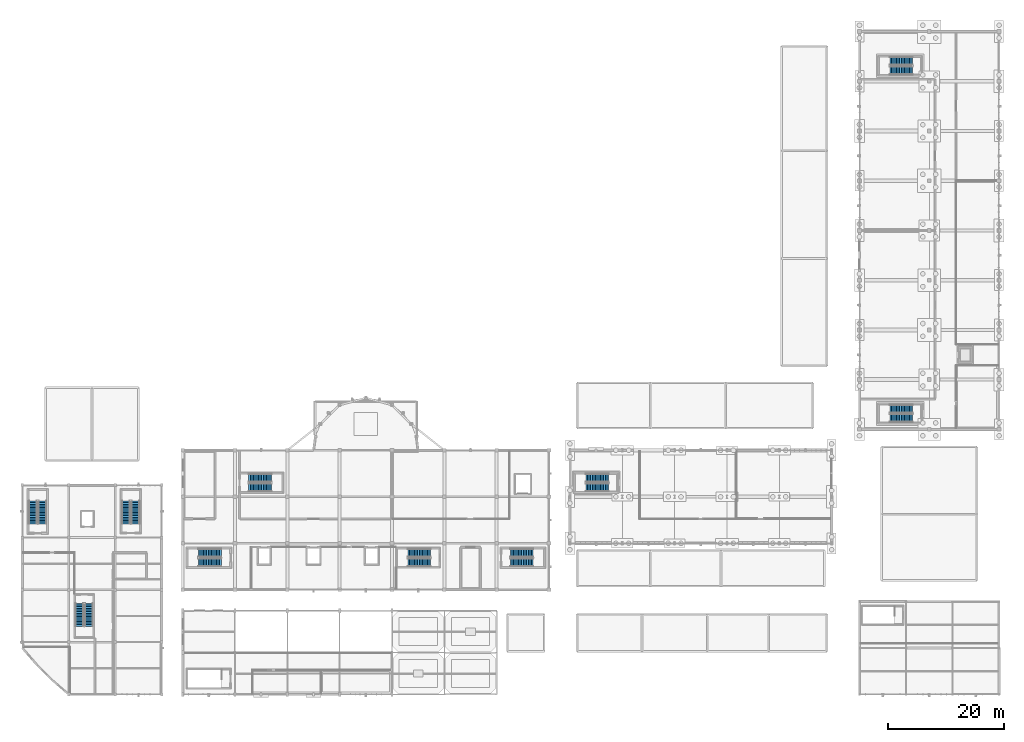
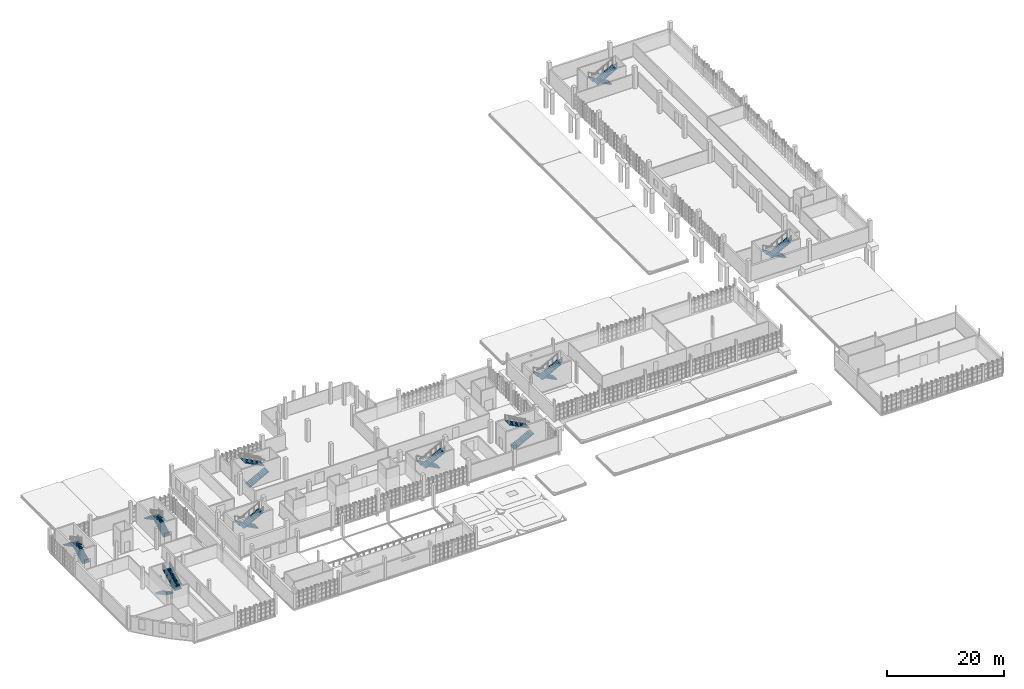
# One storey, part 108 of 125: 20 stair flights, 10 elements without a shape of their own.
"""IFC4 building model written with IfcOpenShell, lengths in metres."""

from ifc_helpers import new_model, si_unit, direction, frame, origin, place, context, subcontext, project, spatial, polyline, outline, extrude, material, type_object, element, aggregate, save


model = new_model("IFC4")

# Units and contexts
model_context = context("Model", 3, precision=1e-05, world=origin(), true_north=direction((0.0, 1.0)))
body_context = subcontext(model_context, "Body", "Model", "MODEL_VIEW")
ifc_project = project(units=[si_unit("LENGTHUNIT", "METRE"), si_unit("AREAUNIT", "SQUARE_METRE"), si_unit("VOLUMEUNIT", "CUBIC_METRE"), si_unit("PLANEANGLEUNIT", "RADIAN"), si_unit("MASSUNIT", "GRAM", prefix="KILO")], contexts=[model_context])

# Site, building, storey
site_placement = place(None, origin())
site = spatial("IfcSite", under=ifc_project, at=site_placement, CompositionType="ELEMENT")
building_placement = place(site_placement, origin())
building = spatial("IfcBuilding", under=site, at=building_placement, Name="Serraforn Aerial Cableway Station", CompositionType="ELEMENT")
storey_placement = place(building_placement, frame((0.0, 0.0, 4.5)))
storey = spatial("IfcBuildingStorey", under=building, at=storey_placement, Name="L01", CompositionType="ELEMENT", Elevation=4.5)

# Stair, stair flights
ifc_material = material(Name="Concrete C35/45", Category="concrete")
stair_type_1 = type_object("IfcStairType", Name="STR-DL-1", PredefinedType="HALF_TURN_STAIR", material=ifc_material)
stair_1_placement = place(storey_placement, origin())
stair_1 = element("IfcStair", 1, at=stair_1_placement, inside=storey, type_object=stair_type_1, Name="L01 West Wing North Exit Stair 1", PredefinedType="HALF_TURN_STAIR")
stair_flight_type_1 = type_object("IfcStairFlightType", Name="SFL-DL-1", PredefinedType="STRAIGHT", material=ifc_material)
stair_flight_1_placement = place(storey_placement, frame((3.47509765625, 29.35009765625, 0.0), z_axis=(0.0, 0.0, 1.0), x_axis=(0.0, 1.0, 0.0)))
stair_flight_1 = element("IfcStairFlight", 2, at=stair_flight_1_placement, type_object=stair_flight_type_1, Name="ST-01 flight 1", NumberOfRisers=15, NumberOfTreads=14, PredefinedType="STRAIGHT", RiserHeight=0.15, TreadLength=0.28, context=body_context, shape_type="SweptSolid", body=[
    extrude(outline(polyline([(0.0, 0.0), (0.0, 0.14990234375), (0.280029296875, 0.14990234375), (0.280029296875, 0.300048828125), (0.56005859375, 0.300048828125), (0.56005859375, 0.449951171875), (0.840087890625, 0.449951171875), (0.840087890625, 0.60009765625), (1.1201171875, 0.60009765625), (1.1201171875, 0.75), (1.39990234375, 0.75), (1.39990234375, 0.89990234375), (1.679931640625, 0.89990234375), (1.679931640625, 1.050048828125), (1.9599609375, 1.050048828125), (1.9599609375, 1.199951171875), (2.239990234375, 1.199951171875), (2.239990234375, 1.35009765625), (2.52001953125, 1.35009765625), (2.52001953125, 1.5), (2.800048828125, 1.5), (2.800048828125, 1.64990234375), (3.080078125, 1.64990234375), (3.080078125, 1.800048828125), (3.360107421875, 1.800048828125), (3.360107421875, 1.949951171875), (3.639892578125, 1.949951171875), (3.639892578125, 2.10009765625), (3.919921875, 2.10009765625), (3.919921875, 2.25), (3.919921875, 1.929931640625), (0.3173828125, 0.0), (0.0, 0.0)])), frame((0.0, 0.72509765625, 0.0), z_axis=(0.0, -1.0, 0.0), x_axis=(1.0, 0.0, 0.0)), (0.0, 0.0, 1.0), 1.449951171875),
])
stair_flight_2_placement = place(storey_placement, frame((1.864990234375, 33.27001953125, 2.25), z_axis=(0.0, 0.0, 1.0), x_axis=(0.0, -1.0, 0.0)))
stair_flight_2 = element("IfcStairFlight", 3, at=stair_flight_2_placement, type_object=stair_flight_type_1, Name="ST-01 flight 2", NumberOfRisers=15, NumberOfTreads=14, PredefinedType="STRAIGHT", RiserHeight=0.15, TreadLength=0.28, context=body_context, shape_type="SweptSolid", body=[
    extrude(outline(polyline([(0.0, 0.0), (0.0, 0.14990234375), (0.280029296875, 0.14990234375), (0.280029296875, 0.300048828125), (0.56005859375, 0.300048828125), (0.56005859375, 0.449951171875), (0.840087890625, 0.449951171875), (0.840087890625, 0.60009765625), (1.1201171875, 0.60009765625), (1.1201171875, 0.75), (1.39990234375, 0.75), (1.39990234375, 0.89990234375), (1.679931640625, 0.89990234375), (1.679931640625, 1.050048828125), (1.9599609375, 1.050048828125), (1.9599609375, 1.199951171875), (2.239990234375, 1.199951171875), (2.239990234375, 1.35009765625), (2.52001953125, 1.35009765625), (2.52001953125, 1.5), (2.800048828125, 1.5), (2.800048828125, 1.64990234375), (3.080078125, 1.64990234375), (3.080078125, 1.800048828125), (3.360107421875, 1.800048828125), (3.360107421875, 1.949951171875), (3.639892578125, 1.949951171875), (3.639892578125, 2.10009765625), (3.919921875, 2.10009765625), (3.919921875, 2.25), (3.919921875, 1.929931640625), (0.3173828125, 0.0), (0.0, 0.0)])), frame((0.0, 0.72509765625, 0.0), z_axis=(0.0, -1.0, 0.0), x_axis=(1.0, 0.0, 0.0)), (0.0, 0.0, 1.0), 1.449951171875),
])
aggregate(stair_1, [stair_flight_1, stair_flight_2])

stair_2_placement = place(storey_placement, origin())
stair_2 = element("IfcStair", 4, at=stair_2_placement, inside=storey, type_object=stair_type_1, Name="L01 Vault West Protected Exit Stair 3", PredefinedType="HALF_TURN_STAIR")
stair_flight_3_placement = place(storey_placement, frame((34.25, 24.3349609375, 0.0), z_axis=(0.0, 0.0, 1.0), x_axis=(-1.0, 0.0, 0.0)))
stair_flight_3 = element("IfcStairFlight", 5, at=stair_flight_3_placement, type_object=stair_flight_type_1, Name="ST-03 flight 1", NumberOfRisers=15, NumberOfTreads=14, PredefinedType="STRAIGHT", RiserHeight=0.15, TreadLength=0.28, context=body_context, shape_type="SweptSolid", body=[
    extrude(outline(polyline([(0.0, 0.0), (0.0, 0.14990234375), (0.280029296875, 0.14990234375), (0.280029296875, 0.300048828125), (0.56005859375, 0.300048828125), (0.56005859375, 0.449951171875), (0.840087890625, 0.449951171875), (0.840087890625, 0.60009765625), (1.1201171875, 0.60009765625), (1.1201171875, 0.75), (1.39990234375, 0.75), (1.39990234375, 0.89990234375), (1.679931640625, 0.89990234375), (1.679931640625, 1.050048828125), (1.9599609375, 1.050048828125), (1.9599609375, 1.199951171875), (2.239990234375, 1.199951171875), (2.239990234375, 1.35009765625), (2.52001953125, 1.35009765625), (2.52001953125, 1.5), (2.800048828125, 1.5), (2.800048828125, 1.64990234375), (3.080078125, 1.64990234375), (3.080078125, 1.800048828125), (3.360107421875, 1.800048828125), (3.360107421875, 1.949951171875), (3.639892578125, 1.949951171875), (3.639892578125, 2.10009765625), (3.919921875, 2.10009765625), (3.919921875, 2.25), (3.919921875, 1.929931640625), (0.3173828125, 0.0), (0.0, 0.0)])), frame((0.0, 0.72509765625, 0.0), z_axis=(0.0, -1.0, 0.0), x_axis=(1.0, 0.0, 0.0)), (0.0, 0.0, 1.0), 1.449951171875),
])
stair_flight_4_placement = place(storey_placement, frame((30.330078125, 22.72509765625, 2.25), z_axis=(0.0, 0.0, 1.0), x_axis=(1.0, 0.0, 0.0)))
stair_flight_4 = element("IfcStairFlight", 6, at=stair_flight_4_placement, type_object=stair_flight_type_1, Name="ST-03 flight 2", NumberOfRisers=15, NumberOfTreads=14, PredefinedType="STRAIGHT", RiserHeight=0.15, TreadLength=0.28, context=body_context, shape_type="SweptSolid", body=[
    extrude(outline(polyline([(0.0, 0.0), (0.0, 0.14990234375), (0.280029296875, 0.14990234375), (0.280029296875, 0.300048828125), (0.56005859375, 0.300048828125), (0.56005859375, 0.449951171875), (0.840087890625, 0.449951171875), (0.840087890625, 0.60009765625), (1.1201171875, 0.60009765625), (1.1201171875, 0.75), (1.39990234375, 0.75), (1.39990234375, 0.89990234375), (1.679931640625, 0.89990234375), (1.679931640625, 1.050048828125), (1.9599609375, 1.050048828125), (1.9599609375, 1.199951171875), (2.239990234375, 1.199951171875), (2.239990234375, 1.35009765625), (2.52001953125, 1.35009765625), (2.52001953125, 1.5), (2.800048828125, 1.5), (2.800048828125, 1.64990234375), (3.080078125, 1.64990234375), (3.080078125, 1.800048828125), (3.360107421875, 1.800048828125), (3.360107421875, 1.949951171875), (3.639892578125, 1.949951171875), (3.639892578125, 2.10009765625), (3.919921875, 2.10009765625), (3.919921875, 2.25), (3.919921875, 1.929931640625), (0.3173828125, 0.0), (0.0, 0.0)])), frame((0.0, 0.72509765625, 0.0), z_axis=(0.0, -1.0, 0.0), x_axis=(1.0, 0.0, 0.0)), (0.0, 0.0, 1.0), 1.449951171875),
])
aggregate(stair_2, [stair_flight_3, stair_flight_4])

stair_3_placement = place(storey_placement, origin())
stair_3 = element("IfcStair", 7, at=stair_3_placement, inside=storey, type_object=stair_type_1, Name="L01 Vault East Protected Exit Stair 13", PredefinedType="HALF_TURN_STAIR")
stair_flight_5_placement = place(storey_placement, frame((83.949951171875, 22.72509765625, 0.0), z_axis=(0.0, 0.0, 1.0), x_axis=(1.0, 0.0, 0.0)))
stair_flight_5 = element("IfcStairFlight", 8, at=stair_flight_5_placement, type_object=stair_flight_type_1, Name="ST-13 flight 1", NumberOfRisers=15, NumberOfTreads=14, PredefinedType="STRAIGHT", RiserHeight=0.15, TreadLength=0.28, context=body_context, shape_type="SweptSolid", body=[
    extrude(outline(polyline([(0.0, 0.0), (0.0, 0.14990234375), (0.280029296875, 0.14990234375), (0.280029296875, 0.300048828125), (0.56005859375, 0.300048828125), (0.56005859375, 0.449951171875), (0.840087890625, 0.449951171875), (0.840087890625, 0.60009765625), (1.1201171875, 0.60009765625), (1.1201171875, 0.75), (1.39990234375, 0.75), (1.39990234375, 0.89990234375), (1.679931640625, 0.89990234375), (1.679931640625, 1.050048828125), (1.9599609375, 1.050048828125), (1.9599609375, 1.199951171875), (2.239990234375, 1.199951171875), (2.239990234375, 1.35009765625), (2.52001953125, 1.35009765625), (2.52001953125, 1.5), (2.800048828125, 1.5), (2.800048828125, 1.64990234375), (3.080078125, 1.64990234375), (3.080078125, 1.800048828125), (3.360107421875, 1.800048828125), (3.360107421875, 1.949951171875), (3.639892578125, 1.949951171875), (3.639892578125, 2.10009765625), (3.919921875, 2.10009765625), (3.919921875, 2.25), (3.919921875, 1.929931640625), (0.3173828125, 0.0), (0.0, 0.0)])), frame((0.0, 0.72509765625, 0.0), z_axis=(0.0, -1.0, 0.0), x_axis=(1.0, 0.0, 0.0)), (0.0, 0.0, 1.0), 1.449951171875),
])
stair_flight_6_placement = place(storey_placement, frame((87.8701171875, 24.3349609375, 2.25), z_axis=(0.0, 0.0, 1.0), x_axis=(-1.0, 0.0, 0.0)))
stair_flight_6 = element("IfcStairFlight", 9, at=stair_flight_6_placement, type_object=stair_flight_type_1, Name="ST-13 flight 2", NumberOfRisers=15, NumberOfTreads=14, PredefinedType="STRAIGHT", RiserHeight=0.15, TreadLength=0.28, context=body_context, shape_type="SweptSolid", body=[
    extrude(outline(polyline([(0.0, 0.0), (0.0, 0.14990234375), (0.280029296875, 0.14990234375), (0.280029296875, 0.300048828125), (0.56005859375, 0.300048828125), (0.56005859375, 0.449951171875), (0.840087890625, 0.449951171875), (0.840087890625, 0.60009765625), (1.1201171875, 0.60009765625), (1.1201171875, 0.75), (1.39990234375, 0.75), (1.39990234375, 0.89990234375), (1.679931640625, 0.89990234375), (1.679931640625, 1.050048828125), (1.9599609375, 1.050048828125), (1.9599609375, 1.199951171875), (2.239990234375, 1.199951171875), (2.239990234375, 1.35009765625), (2.52001953125, 1.35009765625), (2.52001953125, 1.5), (2.800048828125, 1.5), (2.800048828125, 1.64990234375), (3.080078125, 1.64990234375), (3.080078125, 1.800048828125), (3.360107421875, 1.800048828125), (3.360107421875, 1.949951171875), (3.639892578125, 1.949951171875), (3.639892578125, 2.10009765625), (3.919921875, 2.10009765625), (3.919921875, 2.25), (3.919921875, 1.929931640625), (0.3173828125, 0.0), (0.0, 0.0)])), frame((0.0, 0.72509765625, 0.0), z_axis=(0.0, -1.0, 0.0), x_axis=(1.0, 0.0, 0.0)), (0.0, 0.0, 1.0), 1.449951171875),
])
aggregate(stair_3, [stair_flight_5, stair_flight_6])

stair_4_placement = place(storey_placement, origin())
stair_4 = element("IfcStair", 10, at=stair_4_placement, inside=storey, type_object=stair_type_1, Name="L01 Hillside Passage West Stair 8", PredefinedType="HALF_TURN_STAIR")
stair_flight_7_placement = place(storey_placement, frame((100.85009765625, 37.235107421875, 0.0), z_axis=(0.0, 0.0, 1.0), x_axis=(-1.0, 0.0, 0.0)))
stair_flight_7 = element("IfcStairFlight", 11, at=stair_flight_7_placement, type_object=stair_flight_type_1, Name="ST-08 flight 1", NumberOfRisers=15, NumberOfTreads=14, PredefinedType="STRAIGHT", RiserHeight=0.15, TreadLength=0.28, context=body_context, shape_type="SweptSolid", body=[
    extrude(outline(polyline([(0.0, 0.0), (0.0, 0.14990234375), (0.280029296875, 0.14990234375), (0.280029296875, 0.300048828125), (0.56005859375, 0.300048828125), (0.56005859375, 0.449951171875), (0.840087890625, 0.449951171875), (0.840087890625, 0.60009765625), (1.1201171875, 0.60009765625), (1.1201171875, 0.75), (1.39990234375, 0.75), (1.39990234375, 0.89990234375), (1.679931640625, 0.89990234375), (1.679931640625, 1.050048828125), (1.9599609375, 1.050048828125), (1.9599609375, 1.199951171875), (2.239990234375, 1.199951171875), (2.239990234375, 1.35009765625), (2.52001953125, 1.35009765625), (2.52001953125, 1.5), (2.800048828125, 1.5), (2.800048828125, 1.64990234375), (3.080078125, 1.64990234375), (3.080078125, 1.800048828125), (3.360107421875, 1.800048828125), (3.360107421875, 1.949951171875), (3.639892578125, 1.949951171875), (3.639892578125, 2.10009765625), (3.919921875, 2.10009765625), (3.919921875, 2.25), (3.919921875, 1.929931640625), (0.3173828125, 0.0), (0.0, 0.0)])), frame((0.0, 0.72509765625, 0.0), z_axis=(0.0, -1.0, 0.0), x_axis=(1.0, 0.0, 0.0)), (0.0, 0.0, 1.0), 1.449951171875),
])
stair_flight_8_placement = place(storey_placement, frame((96.929931640625, 35.625, 2.25), z_axis=(0.0, 0.0, 1.0), x_axis=(1.0, 0.0, 0.0)))
stair_flight_8 = element("IfcStairFlight", 12, at=stair_flight_8_placement, type_object=stair_flight_type_1, Name="ST-08 flight 2", NumberOfRisers=15, NumberOfTreads=14, PredefinedType="STRAIGHT", RiserHeight=0.15, TreadLength=0.28, context=body_context, shape_type="SweptSolid", body=[
    extrude(outline(polyline([(0.0, 0.0), (0.0, 0.14990234375), (0.280029296875, 0.14990234375), (0.280029296875, 0.300048828125), (0.56005859375, 0.300048828125), (0.56005859375, 0.449951171875), (0.840087890625, 0.449951171875), (0.840087890625, 0.60009765625), (1.1201171875, 0.60009765625), (1.1201171875, 0.75), (1.39990234375, 0.75), (1.39990234375, 0.89990234375), (1.679931640625, 0.89990234375), (1.679931640625, 1.050048828125), (1.9599609375, 1.050048828125), (1.9599609375, 1.199951171875), (2.239990234375, 1.199951171875), (2.239990234375, 1.35009765625), (2.52001953125, 1.35009765625), (2.52001953125, 1.5), (2.800048828125, 1.5), (2.800048828125, 1.64990234375), (3.080078125, 1.64990234375), (3.080078125, 1.800048828125), (3.360107421875, 1.800048828125), (3.360107421875, 1.949951171875), (3.639892578125, 1.949951171875), (3.639892578125, 2.10009765625), (3.919921875, 2.10009765625), (3.919921875, 2.25), (3.919921875, 1.929931640625), (0.3173828125, 0.0), (0.0, 0.0)])), frame((0.0, 0.72509765625, 0.0), z_axis=(0.0, -1.0, 0.0), x_axis=(1.0, 0.0, 0.0)), (0.0, 0.0, 1.0), 1.449951171875),
])
aggregate(stair_4, [stair_flight_7, stair_flight_8])

stair_type_2 = type_object("IfcStairType", Name="STR-DL-2", PredefinedType="HALF_TURN_STAIR", material=ifc_material)
stair_5_placement = place(storey_placement, origin())
stair_5 = element("IfcStair", 13, at=stair_5_placement, inside=storey, type_object=stair_type_2, Name="L01 West Wing East Exit Stair 2", PredefinedType="HALF_TURN_STAIR")
stair_flight_type_2 = type_object("IfcStairFlightType", Name="SFL-DL-2", PredefinedType="STRAIGHT", material=ifc_material)
stair_flight_9_placement = place(storey_placement, frame((19.47509765625, 29.35009765625, 0.0), z_axis=(0.0, 0.0, 1.0), x_axis=(0.0, 1.0, 0.0)))
stair_flight_9 = element("IfcStairFlight", 14, at=stair_flight_9_placement, type_object=stair_flight_type_2, Name="ST-02 flight 1", NumberOfRisers=15, NumberOfTreads=14, PredefinedType="STRAIGHT", RiserHeight=0.15, TreadLength=0.28, context=body_context, shape_type="SweptSolid", body=[
    extrude(outline(polyline([(0.0, 0.0), (0.0, 0.14990234375), (0.280029296875, 0.14990234375), (0.280029296875, 0.300048828125), (0.56005859375, 0.300048828125), (0.56005859375, 0.449951171875), (0.840087890625, 0.449951171875), (0.840087890625, 0.60009765625), (1.1201171875, 0.60009765625), (1.1201171875, 0.75), (1.39990234375, 0.75), (1.39990234375, 0.89990234375), (1.679931640625, 0.89990234375), (1.679931640625, 1.050048828125), (1.9599609375, 1.050048828125), (1.9599609375, 1.199951171875), (2.239990234375, 1.199951171875), (2.239990234375, 1.35009765625), (2.52001953125, 1.35009765625), (2.52001953125, 1.5), (2.800048828125, 1.5), (2.800048828125, 1.64990234375), (3.080078125, 1.64990234375), (3.080078125, 1.800048828125), (3.360107421875, 1.800048828125), (3.360107421875, 1.949951171875), (3.639892578125, 1.949951171875), (3.639892578125, 2.10009765625), (3.919921875, 2.10009765625), (3.919921875, 2.25), (3.919921875, 1.929931640625), (0.3173828125, 0.0), (0.0, 0.0)])), frame((0.0, 0.72509765625, 0.0), z_axis=(0.0, -1.0, 0.0), x_axis=(1.0, 0.0, 0.0)), (0.0, 0.0, 1.0), 1.449951171875),
])
stair_flight_10_placement = place(storey_placement, frame((17.864990234375, 33.27001953125, 2.25), z_axis=(0.0, 0.0, 1.0), x_axis=(0.0, -1.0, 0.0)))
stair_flight_10 = element("IfcStairFlight", 15, at=stair_flight_10_placement, type_object=stair_flight_type_2, Name="ST-02 flight 2", NumberOfRisers=15, NumberOfTreads=14, PredefinedType="STRAIGHT", RiserHeight=0.15, TreadLength=0.28, context=body_context, shape_type="SweptSolid", body=[
    extrude(outline(polyline([(0.0, 0.0), (0.0, 0.14990234375), (0.280029296875, 0.14990234375), (0.280029296875, 0.300048828125), (0.56005859375, 0.300048828125), (0.56005859375, 0.449951171875), (0.840087890625, 0.449951171875), (0.840087890625, 0.60009765625), (1.1201171875, 0.60009765625), (1.1201171875, 0.75), (1.39990234375, 0.75), (1.39990234375, 0.89990234375), (1.679931640625, 0.89990234375), (1.679931640625, 1.050048828125), (1.9599609375, 1.050048828125), (1.9599609375, 1.199951171875), (2.239990234375, 1.199951171875), (2.239990234375, 1.35009765625), (2.52001953125, 1.35009765625), (2.52001953125, 1.5), (2.800048828125, 1.5), (2.800048828125, 1.64990234375), (3.080078125, 1.64990234375), (3.080078125, 1.800048828125), (3.360107421875, 1.800048828125), (3.360107421875, 1.949951171875), (3.639892578125, 1.949951171875), (3.639892578125, 2.10009765625), (3.919921875, 2.10009765625), (3.919921875, 2.25), (3.919921875, 1.929931640625), (0.3173828125, 0.0), (0.0, 0.0)])), frame((0.0, 0.72509765625, 0.0), z_axis=(0.0, -1.0, 0.0), x_axis=(1.0, 0.0, 0.0)), (0.0, 0.0, 1.0), 1.449951171875),
])
aggregate(stair_5, [stair_flight_9, stair_flight_10])

stair_6_placement = place(storey_placement, origin())
stair_6 = element("IfcStair", 16, at=stair_6_placement, inside=storey, type_object=stair_type_2, Name="L01 Vault Central West Exit Stair 4", PredefinedType="HALF_TURN_STAIR")
stair_flight_11_placement = place(storey_placement, frame((38.949951171875, 35.625, 0.0), z_axis=(0.0, 0.0, 1.0), x_axis=(1.0, 0.0, 0.0)))
stair_flight_11 = element("IfcStairFlight", 17, at=stair_flight_11_placement, type_object=stair_flight_type_2, Name="ST-04 flight 1", NumberOfRisers=15, NumberOfTreads=14, PredefinedType="STRAIGHT", RiserHeight=0.15, TreadLength=0.28, context=body_context, shape_type="SweptSolid", body=[
    extrude(outline(polyline([(0.0, 0.0), (0.0, 0.14990234375), (0.280029296875, 0.14990234375), (0.280029296875, 0.300048828125), (0.56005859375, 0.300048828125), (0.56005859375, 0.449951171875), (0.840087890625, 0.449951171875), (0.840087890625, 0.60009765625), (1.1201171875, 0.60009765625), (1.1201171875, 0.75), (1.39990234375, 0.75), (1.39990234375, 0.89990234375), (1.679931640625, 0.89990234375), (1.679931640625, 1.050048828125), (1.9599609375, 1.050048828125), (1.9599609375, 1.199951171875), (2.239990234375, 1.199951171875), (2.239990234375, 1.35009765625), (2.52001953125, 1.35009765625), (2.52001953125, 1.5), (2.800048828125, 1.5), (2.800048828125, 1.64990234375), (3.080078125, 1.64990234375), (3.080078125, 1.800048828125), (3.360107421875, 1.800048828125), (3.360107421875, 1.949951171875), (3.639892578125, 1.949951171875), (3.639892578125, 2.10009765625), (3.919921875, 2.10009765625), (3.919921875, 2.25), (3.919921875, 1.929931640625), (0.3173828125, 0.0), (0.0, 0.0)])), frame((0.0, 0.72509765625, 0.0), z_axis=(0.0, -1.0, 0.0), x_axis=(1.0, 0.0, 0.0)), (0.0, 0.0, 1.0), 1.449951171875),
])
stair_flight_12_placement = place(storey_placement, frame((42.8701171875, 37.235107421875, 2.25), z_axis=(0.0, 0.0, 1.0), x_axis=(-1.0, 0.0, 0.0)))
stair_flight_12 = element("IfcStairFlight", 18, at=stair_flight_12_placement, type_object=stair_flight_type_2, Name="ST-04 flight 2", NumberOfRisers=15, NumberOfTreads=14, PredefinedType="STRAIGHT", RiserHeight=0.15, TreadLength=0.28, context=body_context, shape_type="SweptSolid", body=[
    extrude(outline(polyline([(0.0, 0.0), (0.0, 0.14990234375), (0.280029296875, 0.14990234375), (0.280029296875, 0.300048828125), (0.56005859375, 0.300048828125), (0.56005859375, 0.449951171875), (0.840087890625, 0.449951171875), (0.840087890625, 0.60009765625), (1.1201171875, 0.60009765625), (1.1201171875, 0.75), (1.39990234375, 0.75), (1.39990234375, 0.89990234375), (1.679931640625, 0.89990234375), (1.679931640625, 1.050048828125), (1.9599609375, 1.050048828125), (1.9599609375, 1.199951171875), (2.239990234375, 1.199951171875), (2.239990234375, 1.35009765625), (2.52001953125, 1.35009765625), (2.52001953125, 1.5), (2.800048828125, 1.5), (2.800048828125, 1.64990234375), (3.080078125, 1.64990234375), (3.080078125, 1.800048828125), (3.360107421875, 1.800048828125), (3.360107421875, 1.949951171875), (3.639892578125, 1.949951171875), (3.639892578125, 2.10009765625), (3.919921875, 2.10009765625), (3.919921875, 2.25), (3.919921875, 1.929931640625), (0.3173828125, 0.0), (0.0, 0.0)])), frame((0.0, 0.72509765625, 0.0), z_axis=(0.0, -1.0, 0.0), x_axis=(1.0, 0.0, 0.0)), (0.0, 0.0, 1.0), 1.449951171875),
])
aggregate(stair_6, [stair_flight_11, stair_flight_12])

stair_7_placement = place(storey_placement, origin())
stair_7 = element("IfcStair", 19, at=stair_7_placement, inside=storey, type_object=stair_type_2, Name="L01 Fleet Garage South Exit Stair 10", PredefinedType="HALF_TURN_STAIR")
stair_flight_13_placement = place(storey_placement, frame((153.14990234375, 49.135009765625, 0.0), z_axis=(0.0, 0.0, 1.0), x_axis=(-1.0, 0.0, 0.0)))
stair_flight_13 = element("IfcStairFlight", 20, at=stair_flight_13_placement, type_object=stair_flight_type_2, Name="ST-10 flight 1", NumberOfRisers=15, NumberOfTreads=14, PredefinedType="STRAIGHT", RiserHeight=0.15, TreadLength=0.28, context=body_context, shape_type="SweptSolid", body=[
    extrude(outline(polyline([(0.0, 0.0), (0.0, 0.14990234375), (0.280029296875, 0.14990234375), (0.280029296875, 0.300048828125), (0.56005859375, 0.300048828125), (0.56005859375, 0.449951171875), (0.840087890625, 0.449951171875), (0.840087890625, 0.60009765625), (1.1201171875, 0.60009765625), (1.1201171875, 0.75), (1.39990234375, 0.75), (1.39990234375, 0.89990234375), (1.679931640625, 0.89990234375), (1.679931640625, 1.050048828125), (1.9599609375, 1.050048828125), (1.9599609375, 1.199951171875), (2.239990234375, 1.199951171875), (2.239990234375, 1.35009765625), (2.52001953125, 1.35009765625), (2.52001953125, 1.5), (2.800048828125, 1.5), (2.800048828125, 1.64990234375), (3.080078125, 1.64990234375), (3.080078125, 1.800048828125), (3.360107421875, 1.800048828125), (3.360107421875, 1.949951171875), (3.639892578125, 1.949951171875), (3.639892578125, 2.10009765625), (3.919921875, 2.10009765625), (3.919921875, 2.25), (3.919921875, 1.929931640625), (0.3173828125, 0.0), (0.0, 0.0)])), frame((0.0, 0.72509765625, 0.0), z_axis=(0.0, -1.0, 0.0), x_axis=(1.0, 0.0, 0.0)), (0.0, 0.0, 1.0), 1.449951171875),
])
stair_flight_14_placement = place(storey_placement, frame((149.22998046875, 47.52490234375, 2.25), z_axis=(0.0, 0.0, 1.0), x_axis=(1.0, 0.0, 0.0)))
stair_flight_14 = element("IfcStairFlight", 21, at=stair_flight_14_placement, type_object=stair_flight_type_2, Name="ST-10 flight 2", NumberOfRisers=15, NumberOfTreads=14, PredefinedType="STRAIGHT", RiserHeight=0.15, TreadLength=0.28, context=body_context, shape_type="SweptSolid", body=[
    extrude(outline(polyline([(0.0, 0.0), (0.0, 0.14990234375), (0.280029296875, 0.14990234375), (0.280029296875, 0.300048828125), (0.56005859375, 0.300048828125), (0.56005859375, 0.449951171875), (0.840087890625, 0.449951171875), (0.840087890625, 0.60009765625), (1.1201171875, 0.60009765625), (1.1201171875, 0.75), (1.39990234375, 0.75), (1.39990234375, 0.89990234375), (1.679931640625, 0.89990234375), (1.679931640625, 1.050048828125), (1.9599609375, 1.050048828125), (1.9599609375, 1.199951171875), (2.239990234375, 1.199951171875), (2.239990234375, 1.35009765625), (2.52001953125, 1.35009765625), (2.52001953125, 1.5), (2.800048828125, 1.5), (2.800048828125, 1.64990234375), (3.080078125, 1.64990234375), (3.080078125, 1.800048828125), (3.360107421875, 1.800048828125), (3.360107421875, 1.949951171875), (3.639892578125, 1.949951171875), (3.639892578125, 2.10009765625), (3.919921875, 2.10009765625), (3.919921875, 2.25), (3.919921875, 1.929931640625), (0.3173828125, 0.0), (0.0, 0.0)])), frame((0.0, 0.72509765625, 0.0), z_axis=(0.0, -1.0, 0.0), x_axis=(1.0, 0.0, 0.0)), (0.0, 0.0, 1.0), 1.449951171875),
])
aggregate(stair_7, [stair_flight_13, stair_flight_14])

stair_type_3 = type_object("IfcStairType", Name="STR-DL-3", PredefinedType="HALF_TURN_STAIR", material=ifc_material)
stair_8_placement = place(storey_placement, origin())
stair_8 = element("IfcStair", 22, at=stair_8_placement, inside=storey, type_object=stair_type_3, Name="L01 West Wing South Concourse Stair 12", PredefinedType="HALF_TURN_STAIR")
stair_flight_type_3 = type_object("IfcStairFlightType", Name="SFL-DL-3", PredefinedType="STRAIGHT", material=ifc_material)
stair_flight_15_placement = place(storey_placement, frame((9.864990234375, 15.64990234375, 0.0), z_axis=(0.0, 0.0, 1.0), x_axis=(0.0, -1.0, 0.0)))
stair_flight_15 = element("IfcStairFlight", 23, at=stair_flight_15_placement, type_object=stair_flight_type_3, Name="ST-12 flight 1", NumberOfRisers=15, NumberOfTreads=14, PredefinedType="STRAIGHT", RiserHeight=0.15, TreadLength=0.28, context=body_context, shape_type="SweptSolid", body=[
    extrude(outline(polyline([(0.0, 0.0), (0.0, 0.14990234375), (0.280029296875, 0.14990234375), (0.280029296875, 0.300048828125), (0.56005859375, 0.300048828125), (0.56005859375, 0.449951171875), (0.840087890625, 0.449951171875), (0.840087890625, 0.60009765625), (1.1201171875, 0.60009765625), (1.1201171875, 0.75), (1.39990234375, 0.75), (1.39990234375, 0.89990234375), (1.679931640625, 0.89990234375), (1.679931640625, 1.050048828125), (1.9599609375, 1.050048828125), (1.9599609375, 1.199951171875), (2.239990234375, 1.199951171875), (2.239990234375, 1.35009765625), (2.52001953125, 1.35009765625), (2.52001953125, 1.5), (2.800048828125, 1.5), (2.800048828125, 1.64990234375), (3.080078125, 1.64990234375), (3.080078125, 1.800048828125), (3.360107421875, 1.800048828125), (3.360107421875, 1.949951171875), (3.639892578125, 1.949951171875), (3.639892578125, 2.10009765625), (3.919921875, 2.10009765625), (3.919921875, 2.25), (3.919921875, 1.929931640625), (0.3173828125, 0.0), (0.0, 0.0)])), frame((0.0, 0.72509765625, 0.0), z_axis=(0.0, -1.0, 0.0), x_axis=(1.0, 0.0, 0.0)), (0.0, 0.0, 1.0), 1.449951171875),
])
stair_flight_16_placement = place(storey_placement, frame((11.47509765625, 11.72998046875, 2.25), z_axis=(0.0, 0.0, 1.0), x_axis=(0.0, 1.0, 0.0)))
stair_flight_16 = element("IfcStairFlight", 24, at=stair_flight_16_placement, type_object=stair_flight_type_3, Name="ST-12 flight 2", NumberOfRisers=15, NumberOfTreads=14, PredefinedType="STRAIGHT", RiserHeight=0.15, TreadLength=0.28, context=body_context, shape_type="SweptSolid", body=[
    extrude(outline(polyline([(0.0, 0.0), (0.0, 0.14990234375), (0.280029296875, 0.14990234375), (0.280029296875, 0.300048828125), (0.56005859375, 0.300048828125), (0.56005859375, 0.449951171875), (0.840087890625, 0.449951171875), (0.840087890625, 0.60009765625), (1.1201171875, 0.60009765625), (1.1201171875, 0.75), (1.39990234375, 0.75), (1.39990234375, 0.89990234375), (1.679931640625, 0.89990234375), (1.679931640625, 1.050048828125), (1.9599609375, 1.050048828125), (1.9599609375, 1.199951171875), (2.239990234375, 1.199951171875), (2.239990234375, 1.35009765625), (2.52001953125, 1.35009765625), (2.52001953125, 1.5), (2.800048828125, 1.5), (2.800048828125, 1.64990234375), (3.080078125, 1.64990234375), (3.080078125, 1.800048828125), (3.360107421875, 1.800048828125), (3.360107421875, 1.949951171875), (3.639892578125, 1.949951171875), (3.639892578125, 2.10009765625), (3.919921875, 2.10009765625), (3.919921875, 2.25), (3.919921875, 1.929931640625), (0.3173828125, 0.0), (0.0, 0.0)])), frame((0.0, 0.72509765625, 0.0), z_axis=(0.0, -1.0, 0.0), x_axis=(1.0, 0.0, 0.0)), (0.0, 0.0, 1.0), 1.449951171875),
])
aggregate(stair_8, [stair_flight_15, stair_flight_16])

stair_9_placement = place(storey_placement, origin())
stair_9 = element("IfcStair", 25, at=stair_9_placement, inside=storey, type_object=stair_type_3, Name="L01 Vault Central East Exit Stair 5", PredefinedType="HALF_TURN_STAIR")
stair_flight_17_placement = place(storey_placement, frame((70.25, 24.3349609375, 0.0), z_axis=(0.0, 0.0, 1.0), x_axis=(-1.0, 0.0, 0.0)))
stair_flight_17 = element("IfcStairFlight", 26, at=stair_flight_17_placement, type_object=stair_flight_type_3, Name="ST-05 flight 1", NumberOfRisers=15, NumberOfTreads=14, PredefinedType="STRAIGHT", RiserHeight=0.15, TreadLength=0.28, context=body_context, shape_type="SweptSolid", body=[
    extrude(outline(polyline([(0.0, 0.0), (0.0, 0.14990234375), (0.280029296875, 0.14990234375), (0.280029296875, 0.300048828125), (0.56005859375, 0.300048828125), (0.56005859375, 0.449951171875), (0.840087890625, 0.449951171875), (0.840087890625, 0.60009765625), (1.1201171875, 0.60009765625), (1.1201171875, 0.75), (1.39990234375, 0.75), (1.39990234375, 0.89990234375), (1.679931640625, 0.89990234375), (1.679931640625, 1.050048828125), (1.9599609375, 1.050048828125), (1.9599609375, 1.199951171875), (2.239990234375, 1.199951171875), (2.239990234375, 1.35009765625), (2.52001953125, 1.35009765625), (2.52001953125, 1.5), (2.800048828125, 1.5), (2.800048828125, 1.64990234375), (3.080078125, 1.64990234375), (3.080078125, 1.800048828125), (3.360107421875, 1.800048828125), (3.360107421875, 1.949951171875), (3.639892578125, 1.949951171875), (3.639892578125, 2.10009765625), (3.919921875, 2.10009765625), (3.919921875, 2.25), (3.919921875, 1.929931640625), (0.3173828125, 0.0), (0.0, 0.0)])), frame((0.0, 0.72509765625, 0.0), z_axis=(0.0, -1.0, 0.0), x_axis=(1.0, 0.0, 0.0)), (0.0, 0.0, 1.0), 1.449951171875),
])
stair_flight_18_placement = place(storey_placement, frame((66.330078125, 22.72509765625, 2.25), z_axis=(0.0, 0.0, 1.0), x_axis=(1.0, 0.0, 0.0)))
stair_flight_18 = element("IfcStairFlight", 27, at=stair_flight_18_placement, type_object=stair_flight_type_3, Name="ST-05 flight 2", NumberOfRisers=15, NumberOfTreads=14, PredefinedType="STRAIGHT", RiserHeight=0.15, TreadLength=0.28, context=body_context, shape_type="SweptSolid", body=[
    extrude(outline(polyline([(0.0, 0.0), (0.0, 0.14990234375), (0.280029296875, 0.14990234375), (0.280029296875, 0.300048828125), (0.56005859375, 0.300048828125), (0.56005859375, 0.449951171875), (0.840087890625, 0.449951171875), (0.840087890625, 0.60009765625), (1.1201171875, 0.60009765625), (1.1201171875, 0.75), (1.39990234375, 0.75), (1.39990234375, 0.89990234375), (1.679931640625, 0.89990234375), (1.679931640625, 1.050048828125), (1.9599609375, 1.050048828125), (1.9599609375, 1.199951171875), (2.239990234375, 1.199951171875), (2.239990234375, 1.35009765625), (2.52001953125, 1.35009765625), (2.52001953125, 1.5), (2.800048828125, 1.5), (2.800048828125, 1.64990234375), (3.080078125, 1.64990234375), (3.080078125, 1.800048828125), (3.360107421875, 1.800048828125), (3.360107421875, 1.949951171875), (3.639892578125, 1.949951171875), (3.639892578125, 2.10009765625), (3.919921875, 2.10009765625), (3.919921875, 2.25), (3.919921875, 1.929931640625), (0.3173828125, 0.0), (0.0, 0.0)])), frame((0.0, 0.72509765625, 0.0), z_axis=(0.0, -1.0, 0.0), x_axis=(1.0, 0.0, 0.0)), (0.0, 0.0, 1.0), 1.449951171875),
])
aggregate(stair_9, [stair_flight_17, stair_flight_18])

stair_10_placement = place(storey_placement, origin())
stair_10 = element("IfcStair", 28, at=stair_10_placement, inside=storey, type_object=stair_type_3, Name="L01 Fleet Garage North Exit Stair 11", PredefinedType="HALF_TURN_STAIR")
stair_flight_19_placement = place(storey_placement, frame((153.14990234375, 108.93505859375, 0.0), z_axis=(0.0, 0.0, 1.0), x_axis=(-1.0, 0.0, 0.0)))
stair_flight_19 = element("IfcStairFlight", 29, at=stair_flight_19_placement, type_object=stair_flight_type_3, Name="ST-11 flight 1", NumberOfRisers=15, NumberOfTreads=14, PredefinedType="STRAIGHT", RiserHeight=0.15, TreadLength=0.28, context=body_context, shape_type="SweptSolid", body=[
    extrude(outline(polyline([(0.0, 0.0), (0.0, 0.14990234375), (0.280029296875, 0.14990234375), (0.280029296875, 0.300048828125), (0.56005859375, 0.300048828125), (0.56005859375, 0.449951171875), (0.840087890625, 0.449951171875), (0.840087890625, 0.60009765625), (1.1201171875, 0.60009765625), (1.1201171875, 0.75), (1.39990234375, 0.75), (1.39990234375, 0.89990234375), (1.679931640625, 0.89990234375), (1.679931640625, 1.050048828125), (1.9599609375, 1.050048828125), (1.9599609375, 1.199951171875), (2.239990234375, 1.199951171875), (2.239990234375, 1.35009765625), (2.52001953125, 1.35009765625), (2.52001953125, 1.5), (2.800048828125, 1.5), (2.800048828125, 1.64990234375), (3.080078125, 1.64990234375), (3.080078125, 1.800048828125), (3.360107421875, 1.800048828125), (3.360107421875, 1.949951171875), (3.639892578125, 1.949951171875), (3.639892578125, 2.10009765625), (3.919921875, 2.10009765625), (3.919921875, 2.25), (3.919921875, 1.929931640625), (0.3173828125, 0.0), (0.0, 0.0)])), frame((0.0, 0.72509765625, 0.0), z_axis=(0.0, -1.0, 0.0), x_axis=(1.0, 0.0, 0.0)), (0.0, 0.0, 1.0), 1.449951171875),
])
stair_flight_20_placement = place(storey_placement, frame((149.22998046875, 107.324951171875, 2.25), z_axis=(0.0, 0.0, 1.0), x_axis=(1.0, 0.0, 0.0)))
stair_flight_20 = element("IfcStairFlight", 30, at=stair_flight_20_placement, type_object=stair_flight_type_3, Name="ST-11 flight 2", NumberOfRisers=15, NumberOfTreads=14, PredefinedType="STRAIGHT", RiserHeight=0.15, TreadLength=0.28, context=body_context, shape_type="SweptSolid", body=[
    extrude(outline(polyline([(0.0, 0.0), (0.0, 0.14990234375), (0.280029296875, 0.14990234375), (0.280029296875, 0.300048828125), (0.56005859375, 0.300048828125), (0.56005859375, 0.449951171875), (0.840087890625, 0.449951171875), (0.840087890625, 0.60009765625), (1.1201171875, 0.60009765625), (1.1201171875, 0.75), (1.39990234375, 0.75), (1.39990234375, 0.89990234375), (1.679931640625, 0.89990234375), (1.679931640625, 1.050048828125), (1.9599609375, 1.050048828125), (1.9599609375, 1.199951171875), (2.239990234375, 1.199951171875), (2.239990234375, 1.35009765625), (2.52001953125, 1.35009765625), (2.52001953125, 1.5), (2.800048828125, 1.5), (2.800048828125, 1.64990234375), (3.080078125, 1.64990234375), (3.080078125, 1.800048828125), (3.360107421875, 1.800048828125), (3.360107421875, 1.949951171875), (3.639892578125, 1.949951171875), (3.639892578125, 2.10009765625), (3.919921875, 2.10009765625), (3.919921875, 2.25), (3.919921875, 1.929931640625), (0.3173828125, 0.0), (0.0, 0.0)])), frame((0.0, 0.72509765625, 0.0), z_axis=(0.0, -1.0, 0.0), x_axis=(1.0, 0.0, 0.0)), (0.0, 0.0, 1.0), 1.449951171875),
])
aggregate(stair_10, [stair_flight_19, stair_flight_20])

save(model, "model.ifc")
